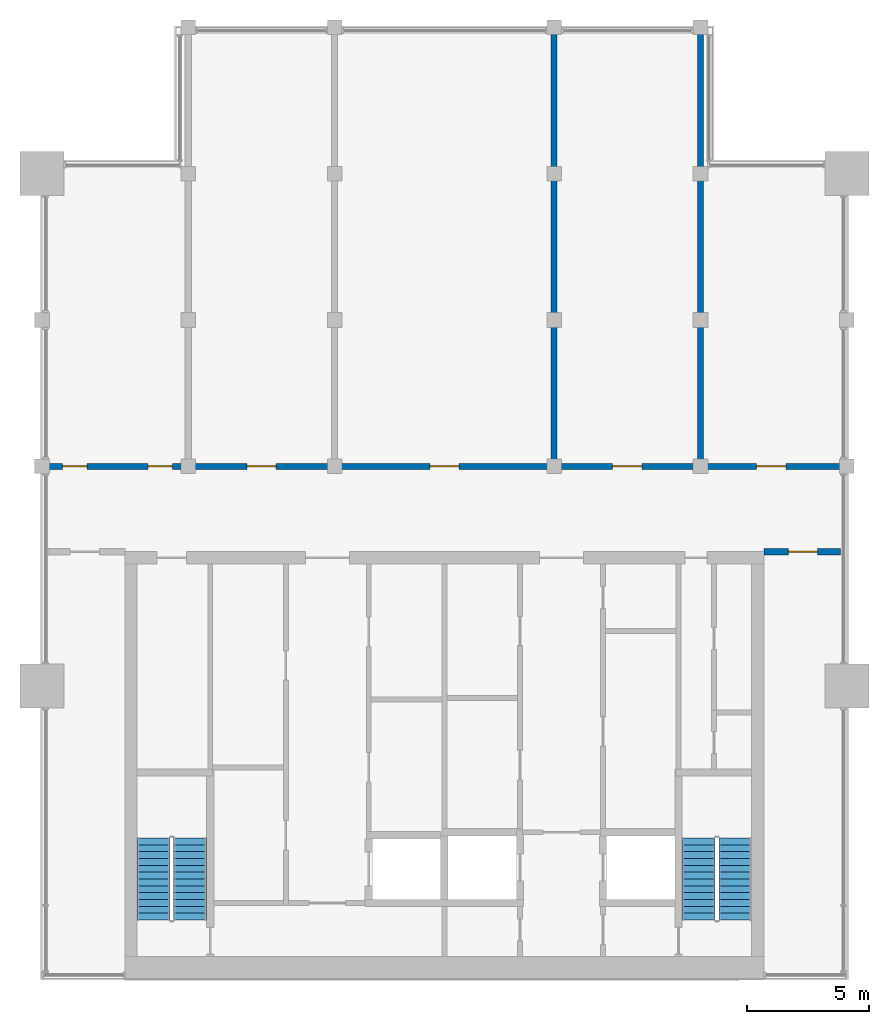
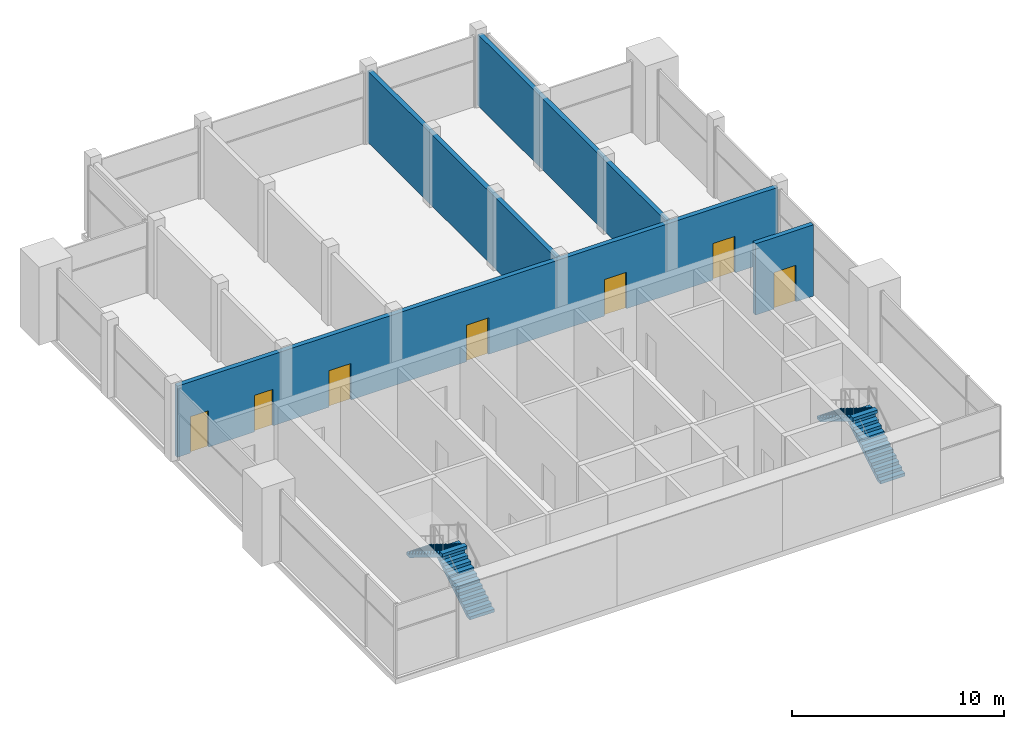
# One storey, part 8 of 9: 7 doors, 4 stair flights, 4 walls, 7 openings, 2 elements without a shape of their own.
"""IFC4 building model written with IfcOpenShell, lengths in metres."""

from ifc_helpers import new_model, si_unit, direction, frame, frame_2d, origin, place, context, subcontext, project, spatial, polyline, rectangle, outline, extrude, material, layer, layer_set, type_object, element, fill, aggregate, save


model = new_model("IFC4")

# Units and contexts
model_context = context("Model", 3, precision=1e-05, world=origin(), true_north=direction((0.0, 1.0)))
body_context = subcontext(model_context, "Body", "Model", "MODEL_VIEW")
ifc_project = project(units=[si_unit("LENGTHUNIT", "METRE"), si_unit("AREAUNIT", "SQUARE_METRE"), si_unit("VOLUMEUNIT", "CUBIC_METRE"), si_unit("PLANEANGLEUNIT", "RADIAN"), si_unit("MASSUNIT", "GRAM", prefix="KILO")], contexts=[model_context])

# Site, building, storey
site_placement = place(None, origin())
site = spatial("IfcSite", under=ifc_project, at=site_placement, CompositionType="ELEMENT")
building_placement = place(site_placement, origin())
building = spatial("IfcBuilding", under=site, at=building_placement, Name="Finial Court Residences", CompositionType="ELEMENT")
storey_placement = place(building_placement, frame((0.0, 0.0, 307.699951171875)))
storey = spatial("IfcBuildingStorey", under=building, at=storey_placement, Name="L78", CompositionType="ELEMENT", Elevation=307.699951171875)

# Wall, opening, door
ifc_material_1 = material(Name="Fire-rated board")
ifc_layer_1 = layer(ifc_material_1, 0.050048828125)
ifc_material_2 = material(Name="Mineral wool in double frame")
ifc_layer_2 = layer(ifc_material_2, 0.14990234375)
ifc_layer_3 = layer(ifc_material_1, 0.050048828125)
ifc_layer_set = layer_set([ifc_layer_1, ifc_layer_2, ifc_layer_3], Name="Plant room wall 250, 2 hour")
wall_type = type_object("IfcWallType", Name="Plant room wall 250, 2 hour", PredefinedType="PARTITIONING", material=ifc_layer_set)
wall_1_placement = place(storey_placement, frame((13.10009765625, -8.0, 0.0), z_axis=(0.0, 0.0, 1.0), x_axis=(1.0, 0.0, 0.0)))
wall_1 = element("IfcWall", 1, at=wall_1_placement, inside=storey, type_object=wall_type, Name="Partition L78-001", PredefinedType="PARTITIONING", context=body_context, shape_type="SweptSolid", body=[
    extrude(rectangle(XDim=3.14990234375, YDim=0.25, at=frame_2d((1.574951171875, 0.0))), origin(), (0.0, 0.0, 1.0), 4.10009765625),
])
opening_1_placement = place(wall_1_placement, frame((1.0, 0.0, 0.0)))
opening_1 = element("IfcOpeningElement", 2, at=opening_1_placement, cuts=wall_1, Name="Opening L78-D002", PredefinedType="OPENING", context=body_context, shape_type="SweptSolid", body=[
    extrude(rectangle(XDim=1.199951171875, YDim=2.10009765625, at=frame_2d((0.60009765625, 1.050048828125))), frame((0.0, 0.135009765625, 0.0), z_axis=(0.0, -1.0, 0.0), x_axis=(1.0, 0.0, 0.0)), (0.0, 0.0, 1.0), 0.27001953125),
])
ifc_material_3 = material(Name="Timber door leaf in hollow metal frame", Category="wood")
door_type_1 = type_object("IfcDoorType", Name="Fire door set 1200 x 2100, 60 minutes", OperationType="SINGLE_SWING_LEFT", PredefinedType="DOOR", material=ifc_material_3)
door_1_placement = place(opening_1_placement, origin())
door_1 = element("IfcDoor", 3, at=door_1_placement, inside=storey, type_object=door_type_1, Name="Door L78-D002", OperationType="SINGLE_SWING_LEFT", OverallHeight=2.10009765625, OverallWidth=1.199951171875, PredefinedType="DOOR", context=body_context, shape_type="SweptSolid", body=[
    extrude(rectangle(XDim=1.199951171875, YDim=2.10009765625, at=frame_2d((0.60009765625, 1.050048828125))), frame((0.0, 0.02490234375, 0.0), z_axis=(0.0, -1.0, 0.0), x_axis=(1.0, 0.0, 0.0)), (0.0, 0.0, 1.0), 0.050048828125),
])
fill(opening_1, door_1)

# Wall, openings, doors
wall_2_placement = place(storey_placement, frame((-16.35009765625, -4.5, 0.0), z_axis=(0.0, 0.0, 1.0), x_axis=(1.0, 0.0, 0.0)))
wall_2 = element("IfcWall", 4, at=wall_2_placement, inside=storey, type_object=wall_type, Name="Partition L78-002", PredefinedType="PARTITIONING", context=body_context, shape_type="SweptSolid", body=[
    extrude(rectangle(XDim=32.7001953125, YDim=0.25, at=frame_2d((16.35009765625, 0.0))), origin(), (0.0, 0.0, 1.0), 4.10009765625),
])
opening_2_placement = place(wall_2_placement, frame((0.699951171875, 0.0, 0.0)))
opening_2 = element("IfcOpeningElement", 5, at=opening_2_placement, cuts=wall_2, Name="Opening L78-D003", PredefinedType="OPENING", context=body_context, shape_type="SweptSolid", body=[
    extrude(rectangle(XDim=1.0, YDim=2.10009765625, at=frame_2d((0.5, 1.050048828125))), frame((0.0, 0.135009765625, 0.0), z_axis=(0.0, -1.0, 0.0), x_axis=(1.0, 0.0, 0.0)), (0.0, 0.0, 1.0), 0.27001953125),
])
opening_3_placement = place(wall_2_placement, frame((4.199951171875, 0.0, 0.0)))
opening_3 = element("IfcOpeningElement", 6, at=opening_3_placement, cuts=wall_2, Name="Opening L78-D004", PredefinedType="OPENING", context=body_context, shape_type="SweptSolid", body=[
    extrude(rectangle(XDim=1.0, YDim=2.10009765625, at=frame_2d((0.5, 1.050048828125))), frame((0.0, 0.135009765625, 0.0), z_axis=(0.0, -1.0, 0.0), x_axis=(1.0, 0.0, 0.0)), (0.0, 0.0, 1.0), 0.27001953125),
])
opening_4_placement = place(wall_2_placement, frame((8.25, 0.0, 0.0)))
opening_4 = element("IfcOpeningElement", 7, at=opening_4_placement, cuts=wall_2, Name="Opening L78-D005", PredefinedType="OPENING", context=body_context, shape_type="SweptSolid", body=[
    extrude(rectangle(XDim=1.199951171875, YDim=2.10009765625, at=frame_2d((0.60009765625, 1.050048828125))), frame((0.0, 0.135009765625, 0.0), z_axis=(0.0, -1.0, 0.0), x_axis=(1.0, 0.0, 0.0)), (0.0, 0.0, 1.0), 0.27001953125),
])
opening_5_placement = place(wall_2_placement, frame((15.75, 0.0, 0.0)))
opening_5 = element("IfcOpeningElement", 8, at=opening_5_placement, cuts=wall_2, Name="Opening L78-D006", PredefinedType="OPENING", context=body_context, shape_type="SweptSolid", body=[
    extrude(rectangle(XDim=1.199951171875, YDim=2.10009765625, at=frame_2d((0.60009765625, 1.050048828125))), frame((0.0, 0.135009765625, 0.0), z_axis=(0.0, -1.0, 0.0), x_axis=(1.0, 0.0, 0.0)), (0.0, 0.0, 1.0), 0.27001953125),
])
opening_6_placement = place(wall_2_placement, frame((23.25, 0.0, 0.0)))
opening_6 = element("IfcOpeningElement", 9, at=opening_6_placement, cuts=wall_2, Name="Opening L78-D007", PredefinedType="OPENING", context=body_context, shape_type="SweptSolid", body=[
    extrude(rectangle(XDim=1.199951171875, YDim=2.10009765625, at=frame_2d((0.60009765625, 1.050048828125))), frame((0.0, 0.135009765625, 0.0), z_axis=(0.0, -1.0, 0.0), x_axis=(1.0, 0.0, 0.0)), (0.0, 0.0, 1.0), 0.27001953125),
])
opening_7_placement = place(wall_2_placement, frame((29.14990234375, 0.0, 0.0)))
opening_7 = element("IfcOpeningElement", 10, at=opening_7_placement, cuts=wall_2, Name="Opening L78-D008", PredefinedType="OPENING", context=body_context, shape_type="SweptSolid", body=[
    extrude(rectangle(XDim=1.199951171875, YDim=2.10009765625, at=frame_2d((0.60009765625, 1.050048828125))), frame((0.0, 0.135009765625, 0.0), z_axis=(0.0, -1.0, 0.0), x_axis=(1.0, 0.0, 0.0)), (0.0, 0.0, 1.0), 0.27001953125),
])
door_type_2 = type_object("IfcDoorType", Name="Fire door set 1000 x 2100, 60 minutes", OperationType="SINGLE_SWING_LEFT", PredefinedType="DOOR", material=ifc_material_3)
door_2_placement = place(opening_2_placement, origin())
door_2 = element("IfcDoor", 11, at=door_2_placement, inside=storey, type_object=door_type_2, Name="Door L78-D003", OperationType="SINGLE_SWING_RIGHT", OverallHeight=2.10009765625, OverallWidth=1.0, PredefinedType="DOOR", context=body_context, shape_type="SweptSolid", body=[
    extrude(rectangle(XDim=1.0, YDim=2.10009765625, at=frame_2d((0.5, 1.050048828125))), frame((0.0, 0.02490234375, 0.0), z_axis=(0.0, -1.0, 0.0), x_axis=(1.0, 0.0, 0.0)), (0.0, 0.0, 1.0), 0.050048828125),
])
fill(opening_2, door_2)
door_3_placement = place(opening_3_placement, origin())
door_3 = element("IfcDoor", 12, at=door_3_placement, inside=storey, type_object=door_type_2, Name="Door L78-D004", OperationType="SINGLE_SWING_RIGHT", OverallHeight=2.10009765625, OverallWidth=1.0, PredefinedType="DOOR", context=body_context, shape_type="SweptSolid", body=[
    extrude(rectangle(XDim=1.0, YDim=2.10009765625, at=frame_2d((0.5, 1.050048828125))), frame((0.0, 0.02490234375, 0.0), z_axis=(0.0, -1.0, 0.0), x_axis=(1.0, 0.0, 0.0)), (0.0, 0.0, 1.0), 0.050048828125),
])
fill(opening_3, door_3)
door_4_placement = place(opening_4_placement, origin())
door_4 = element("IfcDoor", 13, at=door_4_placement, inside=storey, type_object=door_type_1, Name="Door L78-D005", OperationType="SINGLE_SWING_RIGHT", OverallHeight=2.10009765625, OverallWidth=1.199951171875, PredefinedType="DOOR", context=body_context, shape_type="SweptSolid", body=[
    extrude(rectangle(XDim=1.199951171875, YDim=2.10009765625, at=frame_2d((0.60009765625, 1.050048828125))), frame((0.0, 0.02490234375, 0.0), z_axis=(0.0, -1.0, 0.0), x_axis=(1.0, 0.0, 0.0)), (0.0, 0.0, 1.0), 0.050048828125),
])
fill(opening_4, door_4)
door_5_placement = place(opening_5_placement, origin())
door_5 = element("IfcDoor", 14, at=door_5_placement, inside=storey, type_object=door_type_1, Name="Door L78-D006", OperationType="SINGLE_SWING_RIGHT", OverallHeight=2.10009765625, OverallWidth=1.199951171875, PredefinedType="DOOR", context=body_context, shape_type="SweptSolid", body=[
    extrude(rectangle(XDim=1.199951171875, YDim=2.10009765625, at=frame_2d((0.60009765625, 1.050048828125))), frame((0.0, 0.02490234375, 0.0), z_axis=(0.0, -1.0, 0.0), x_axis=(1.0, 0.0, 0.0)), (0.0, 0.0, 1.0), 0.050048828125),
])
fill(opening_5, door_5)
door_6_placement = place(opening_6_placement, origin())
door_6 = element("IfcDoor", 15, at=door_6_placement, inside=storey, type_object=door_type_1, Name="Door L78-D007", OperationType="SINGLE_SWING_LEFT", OverallHeight=2.10009765625, OverallWidth=1.199951171875, PredefinedType="DOOR", context=body_context, shape_type="SweptSolid", body=[
    extrude(rectangle(XDim=1.199951171875, YDim=2.10009765625, at=frame_2d((0.60009765625, 1.050048828125))), frame((0.0, 0.02490234375, 0.0), z_axis=(0.0, -1.0, 0.0), x_axis=(1.0, 0.0, 0.0)), (0.0, 0.0, 1.0), 0.050048828125),
])
fill(opening_6, door_6)
door_7_placement = place(opening_7_placement, origin())
door_7 = element("IfcDoor", 16, at=door_7_placement, inside=storey, type_object=door_type_1, Name="Door L78-D008", OperationType="SINGLE_SWING_LEFT", OverallHeight=2.10009765625, OverallWidth=1.199951171875, PredefinedType="DOOR", context=body_context, shape_type="SweptSolid", body=[
    extrude(rectangle(XDim=1.199951171875, YDim=2.10009765625, at=frame_2d((0.60009765625, 1.050048828125))), frame((0.0, 0.02490234375, 0.0), z_axis=(0.0, -1.0, 0.0), x_axis=(1.0, 0.0, 0.0)), (0.0, 0.0, 1.0), 0.050048828125),
])
fill(opening_7, door_7)

# Walls
for number, where, z_axis, x_axis, name in (
    (17, (4.5, -4.375, 0.0), (0.0, 0.0, 1.0), (0.0, 1.0, 0.0), "Partition L78-005"),
    (18, (10.5, -4.375, 0.0), (0.0, 0.0, 1.0), (0.0, 1.0, 0.0), "Partition L78-006"),
):
    element("IfcWall", number, at=place(storey_placement, frame(where, z_axis=z_axis, x_axis=x_axis)), inside=storey, type_object=wall_type, Name=name, PredefinedType="PARTITIONING", context=body_context, shape_type="SweptSolid", body=[
        extrude(rectangle(XDim=17.72509765625, YDim=0.25, at=frame_2d((8.862548828125, 0.0))), origin(), (0.0, 0.0, 1.0), 4.10009765625),
    ])

# Stair, stair flights
ifc_material_4 = material(Name="Concrete C50/60", Category="concrete")
stair_type = type_object("IfcStairType", Name="Exit stair 26 risers of 173.1 mm", PredefinedType="HALF_TURN_STAIR", material=ifc_material_4)
stair_1_placement = place(storey_placement, origin())
stair_1 = element("IfcStair", 19, at=stair_1_placement, inside=storey, type_object=stair_type, Name="L78 Exit stair ST-1", PredefinedType="HALF_TURN_STAIR")
stair_flight_type = type_object("IfcStairFlightType", Name="Exit stair flight", PredefinedType="STRAIGHT", material=ifc_material_4)
stair_flight_1_placement = place(storey_placement, frame((-10.425048828125, -23.10009765625, 0.0), z_axis=(0.0, 0.0, 1.0), x_axis=(0.0, 1.0, 0.0)))
stair_flight_1 = element("IfcStairFlight", 20, at=stair_flight_1_placement, type_object=stair_flight_type, Name="ST-1 flight 1", NumberOfRisers=13, NumberOfTreads=12, PredefinedType="STRAIGHT", RiserHeight=0.173076923, TreadLength=0.28, context=body_context, shape_type="SweptSolid", body=[
    extrude(outline(polyline([(0.0, 0.0), (0.0, 0.173095703125), (0.280029296875, 0.173095703125), (0.280029296875, 0.34619140625), (0.56005859375, 0.34619140625), (0.56005859375, 0.519287109375), (0.840087890625, 0.519287109375), (0.840087890625, 0.6923828125), (1.1201171875, 0.6923828125), (1.1201171875, 0.865478515625), (1.39990234375, 0.865478515625), (1.39990234375, 1.03857421875), (1.679931640625, 1.03857421875), (1.679931640625, 1.21142578125), (1.9599609375, 1.21142578125), (1.9599609375, 1.384521484375), (2.239990234375, 1.384521484375), (2.239990234375, 1.5576171875), (2.52001953125, 1.5576171875), (2.52001953125, 1.730712890625), (2.800048828125, 1.730712890625), (2.800048828125, 1.90380859375), (3.080078125, 1.90380859375), (3.080078125, 2.076904296875), (3.360107421875, 2.076904296875), (3.360107421875, 2.25), (3.360107421875, 1.900634765625), (0.28515625, 0.0), (0.0, 0.0)])), frame((0.0, 0.675048828125, 0.0), z_axis=(0.0, -1.0, 0.0), x_axis=(1.0, 0.0, 0.0)), (0.0, 0.0, 1.0), 1.35009765625),
])
stair_flight_2_placement = place(storey_placement, frame((-11.925048828125, -19.739990234375, 2.25), z_axis=(0.0, 0.0, 1.0), x_axis=(0.0, -1.0, 0.0)))
stair_flight_2 = element("IfcStairFlight", 21, at=stair_flight_2_placement, type_object=stair_flight_type, Name="ST-1 flight 2", NumberOfRisers=13, NumberOfTreads=12, PredefinedType="STRAIGHT", RiserHeight=0.173076923, TreadLength=0.28, context=body_context, shape_type="SweptSolid", body=[
    extrude(outline(polyline([(0.0, 0.0), (0.0, 0.173095703125), (0.280029296875, 0.173095703125), (0.280029296875, 0.34619140625), (0.56005859375, 0.34619140625), (0.56005859375, 0.519287109375), (0.840087890625, 0.519287109375), (0.840087890625, 0.6923828125), (1.1201171875, 0.6923828125), (1.1201171875, 0.865478515625), (1.39990234375, 0.865478515625), (1.39990234375, 1.03857421875), (1.679931640625, 1.03857421875), (1.679931640625, 1.21142578125), (1.9599609375, 1.21142578125), (1.9599609375, 1.384521484375), (2.239990234375, 1.384521484375), (2.239990234375, 1.5576171875), (2.52001953125, 1.5576171875), (2.52001953125, 1.730712890625), (2.800048828125, 1.730712890625), (2.800048828125, 1.90380859375), (3.080078125, 1.90380859375), (3.080078125, 2.076904296875), (3.360107421875, 2.076904296875), (3.360107421875, 2.25), (3.360107421875, 1.900634765625), (0.28515625, 0.0), (0.0, 0.0)])), frame((0.0, 0.675048828125, 0.0), z_axis=(0.0, -1.0, 0.0), x_axis=(1.0, 0.0, 0.0)), (0.0, 0.0, 1.0), 1.35009765625),
])
aggregate(stair_1, [stair_flight_1, stair_flight_2])

stair_2_placement = place(storey_placement, origin())
stair_2 = element("IfcStair", 22, at=stair_2_placement, inside=storey, type_object=stair_type, Name="L78 Exit stair ST-2", PredefinedType="HALF_TURN_STAIR")
stair_flight_3_placement = place(storey_placement, frame((11.925048828125, -23.10009765625, 0.0), z_axis=(0.0, 0.0, 1.0), x_axis=(0.0, 1.0, 0.0)))
stair_flight_3 = element("IfcStairFlight", 23, at=stair_flight_3_placement, type_object=stair_flight_type, Name="ST-2 flight 1", NumberOfRisers=13, NumberOfTreads=12, PredefinedType="STRAIGHT", RiserHeight=0.173076923, TreadLength=0.28, context=body_context, shape_type="SweptSolid", body=[
    extrude(outline(polyline([(0.0, 0.0), (0.0, 0.173095703125), (0.280029296875, 0.173095703125), (0.280029296875, 0.34619140625), (0.56005859375, 0.34619140625), (0.56005859375, 0.519287109375), (0.840087890625, 0.519287109375), (0.840087890625, 0.6923828125), (1.1201171875, 0.6923828125), (1.1201171875, 0.865478515625), (1.39990234375, 0.865478515625), (1.39990234375, 1.03857421875), (1.679931640625, 1.03857421875), (1.679931640625, 1.21142578125), (1.9599609375, 1.21142578125), (1.9599609375, 1.384521484375), (2.239990234375, 1.384521484375), (2.239990234375, 1.5576171875), (2.52001953125, 1.5576171875), (2.52001953125, 1.730712890625), (2.800048828125, 1.730712890625), (2.800048828125, 1.90380859375), (3.080078125, 1.90380859375), (3.080078125, 2.076904296875), (3.360107421875, 2.076904296875), (3.360107421875, 2.25), (3.360107421875, 1.900634765625), (0.28515625, 0.0), (0.0, 0.0)])), frame((0.0, 0.675048828125, 0.0), z_axis=(0.0, -1.0, 0.0), x_axis=(1.0, 0.0, 0.0)), (0.0, 0.0, 1.0), 1.35009765625),
])
stair_flight_4_placement = place(storey_placement, frame((10.425048828125, -19.739990234375, 2.25), z_axis=(0.0, 0.0, 1.0), x_axis=(0.0, -1.0, 0.0)))
stair_flight_4 = element("IfcStairFlight", 24, at=stair_flight_4_placement, type_object=stair_flight_type, Name="ST-2 flight 2", NumberOfRisers=13, NumberOfTreads=12, PredefinedType="STRAIGHT", RiserHeight=0.173076923, TreadLength=0.28, context=body_context, shape_type="SweptSolid", body=[
    extrude(outline(polyline([(0.0, 0.0), (0.0, 0.173095703125), (0.280029296875, 0.173095703125), (0.280029296875, 0.34619140625), (0.56005859375, 0.34619140625), (0.56005859375, 0.519287109375), (0.840087890625, 0.519287109375), (0.840087890625, 0.6923828125), (1.1201171875, 0.6923828125), (1.1201171875, 0.865478515625), (1.39990234375, 0.865478515625), (1.39990234375, 1.03857421875), (1.679931640625, 1.03857421875), (1.679931640625, 1.21142578125), (1.9599609375, 1.21142578125), (1.9599609375, 1.384521484375), (2.239990234375, 1.384521484375), (2.239990234375, 1.5576171875), (2.52001953125, 1.5576171875), (2.52001953125, 1.730712890625), (2.800048828125, 1.730712890625), (2.800048828125, 1.90380859375), (3.080078125, 1.90380859375), (3.080078125, 2.076904296875), (3.360107421875, 2.076904296875), (3.360107421875, 2.25), (3.360107421875, 1.900634765625), (0.28515625, 0.0), (0.0, 0.0)])), frame((0.0, 0.675048828125, 0.0), z_axis=(0.0, -1.0, 0.0), x_axis=(1.0, 0.0, 0.0)), (0.0, 0.0, 1.0), 1.35009765625),
])
aggregate(stair_2, [stair_flight_3, stair_flight_4])

save(model, "model.ifc")
